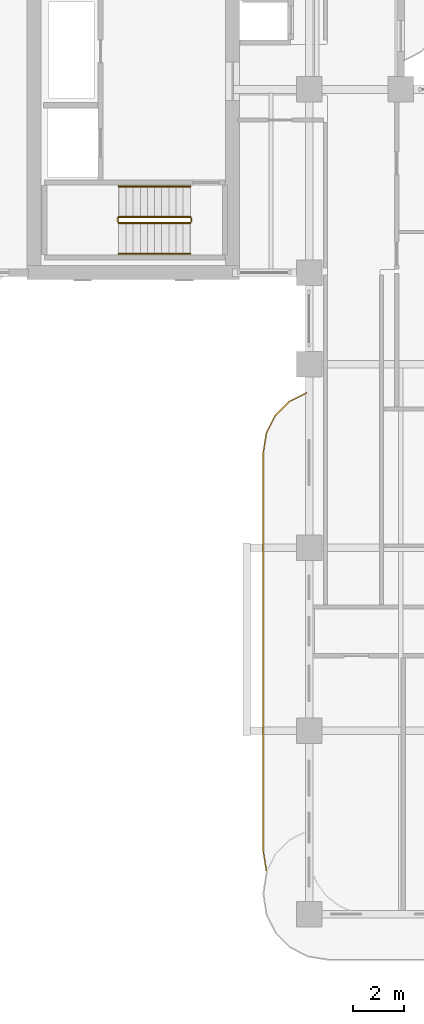
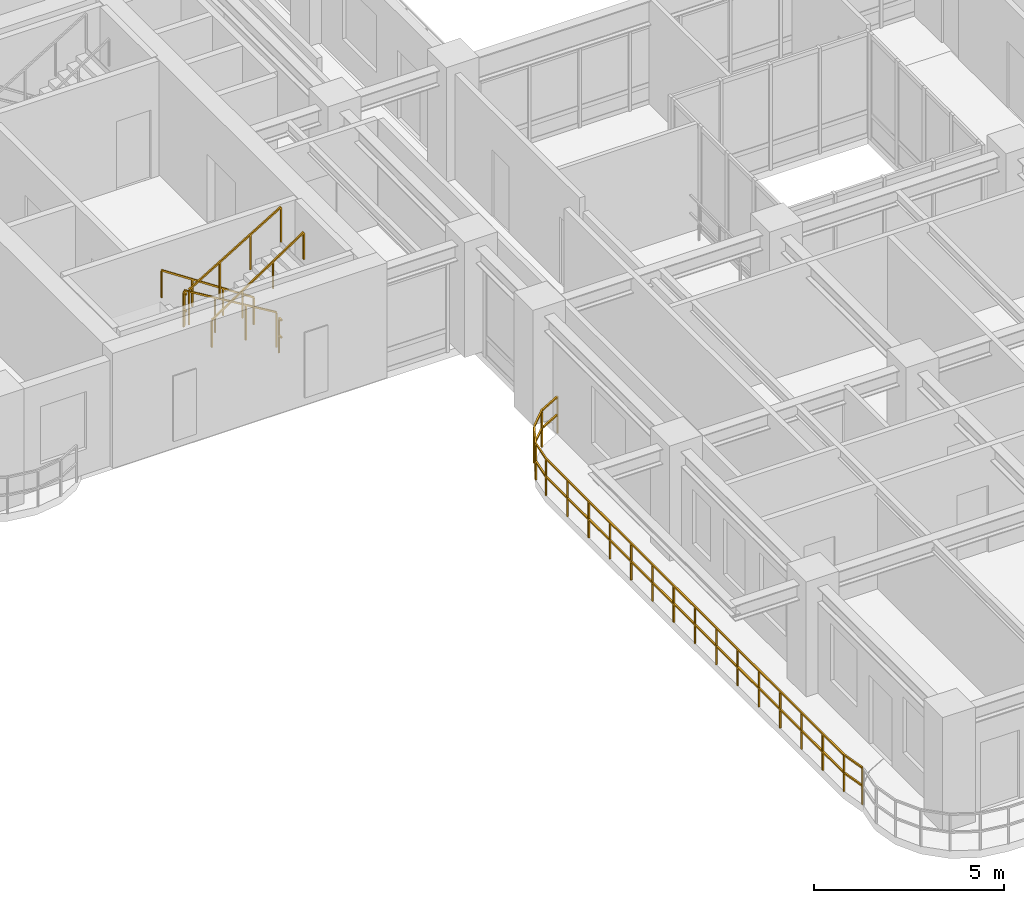
# One storey, part 17 of 21: 7 railings.
"""IFC4 building model written with IfcOpenShell, lengths in metres."""

from ifc_helpers import new_model, si_unit, derived_unit, direction, frame, origin, origin_2d, place, context, subcontext, project, spatial, rectangle, extrude, material, type_object, element, save


model = new_model("IFC4")

# Units and contexts
model_context = context("Model", 3, precision=1e-05, world=origin(), true_north=direction((0.0, 1.0)))
body_context = subcontext(model_context, "Body", "Model", "MODEL_VIEW")
ifc_project = project(units=[si_unit("LENGTHUNIT", "METRE"), si_unit("AREAUNIT", "SQUARE_METRE"), si_unit("VOLUMEUNIT", "CUBIC_METRE"), si_unit("PLANEANGLEUNIT", "RADIAN"), si_unit("MASSUNIT", "GRAM", prefix="KILO"), si_unit("THERMODYNAMICTEMPERATUREUNIT", "KELVIN"), si_unit("POWERUNIT", "WATT"), derived_unit("THERMALTRANSMITTANCEUNIT", [(si_unit("POWERUNIT", "WATT"), 1), (si_unit("AREAUNIT", "SQUARE_METRE"), -1), (si_unit("THERMODYNAMICTEMPERATUREUNIT", "KELVIN"), -1)])], contexts=[model_context])

# Site, building, storey
site_placement = place(None, origin())
site = spatial("IfcSite", under=ifc_project, at=site_placement, CompositionType="ELEMENT")
building_placement = place(site_placement, origin())
building = spatial("IfcBuilding", under=site, at=building_placement, Name="Zahravan Archway Hotel and Residences", CompositionType="ELEMENT")
storey_placement = place(building_placement, frame((0.0, 0.0, 141.39990234375)))
storey = spatial("IfcBuildingStorey", under=building, at=storey_placement, Name="L35", CompositionType="ELEMENT", Elevation=141.39990234375)

# Railings
ifc_material_1 = material(Name="Bronze & Laminated Glass Balustrade", Category="glass")
railing_type_1 = type_object("IfcRailingType", Name="RL-BAL-1200", PredefinedType="BALUSTRADE", material=ifc_material_1)
railing_1_placement = place(storey_placement, frame((12.719970703125, 1.69287109375, 0.0)))
element("IfcRailing", 1, at=railing_1_placement, inside=storey, type_object=railing_type_1, Name="L35 Balustrade RL-SLB-BAL-L35-WA-1", PredefinedType="BALUSTRADE", context=body_context, shape_type="SweptSolid", body=[
    extrude(rectangle(XDim=0.048095703125, YDim=0.048095703125, at=origin_2d()), frame((0.0, 0.0, 1.17578125), z_axis=(-0.156387811283, 0.987695728695, 0.0), x_axis=(-0.987695728695, -0.156387811283, 0.0)), (0.0, 0.0, 1.0), 0.7666015625),
    extrude(rectangle(XDim=0.048095703125, YDim=0.048095703125, at=origin_2d()), frame((0.0, 0.0, 0.60009765625), z_axis=(-0.156387811283, 0.987695728695, 0.0), x_axis=(-0.987695728695, -0.156387811283, 0.0)), (0.0, 0.0, 1.0), 0.7666015625),
    extrude(rectangle(XDim=0.048095703125, YDim=0.048095703125, at=origin_2d()), frame((-0.119873046875, 0.757080078125, 1.17578125), z_axis=(0.0, 1.0, 0.0), x_axis=(-1.0, 0.0, 0.0)), (0.0, 0.0, 1.0), 15.699951171875),
    extrude(rectangle(XDim=0.048095703125, YDim=0.048095703125, at=origin_2d()), frame((-0.119873046875, 0.757080078125, 0.60009765625), z_axis=(0.0, 1.0, 0.0), x_axis=(-1.0, 0.0, 0.0)), (0.0, 0.0, 1.0), 15.699951171875),
    extrude(rectangle(XDim=0.048095703125, YDim=0.048095703125, at=origin_2d()), frame((-0.119873046875, 16.45703125, 1.17578125), z_axis=(0.156387811283, 0.987695728695, 0.0), x_axis=(-0.987695728695, 0.156387811283, 0.0)), (0.0, 0.0, 1.0), 0.7666015625),
    extrude(rectangle(XDim=0.048095703125, YDim=0.048095703125, at=origin_2d()), frame((-0.119873046875, 16.45703125, 0.60009765625), z_axis=(0.156387811283, 0.987695728695, 0.0), x_axis=(-0.987695728695, 0.156387811283, 0.0)), (0.0, 0.0, 1.0), 0.7666015625),
    extrude(rectangle(XDim=0.048095703125, YDim=0.048095703125, at=origin_2d()), frame((0.0, 17.214111328125, 1.17578125), z_axis=(0.453825591531, 0.891090529897, 0.0), x_axis=(-0.891090529897, 0.453825591531, 0.0)), (0.0, 0.0, 1.0), 0.7666015625),
    extrude(rectangle(XDim=0.048095703125, YDim=0.048095703125, at=origin_2d()), frame((0.0, 17.214111328125, 0.60009765625), z_axis=(0.453825591531, 0.891090529897, 0.0), x_axis=(-0.891090529897, 0.453825591531, 0.0)), (0.0, 0.0, 1.0), 0.7666015625),
    extrude(rectangle(XDim=0.048095703125, YDim=0.048095703125, at=origin_2d()), frame((0.347900390625, 17.897216796875, 1.17578125), z_axis=(0.707106781187, 0.707106781187, 0.0), x_axis=(-0.707106781187, 0.707106781187, 0.0)), (0.0, 0.0, 1.0), 0.7666015625),
    extrude(rectangle(XDim=0.048095703125, YDim=0.048095703125, at=origin_2d()), frame((0.347900390625, 17.897216796875, 0.60009765625), z_axis=(0.707106781187, 0.707106781187, 0.0), x_axis=(-0.707106781187, 0.707106781187, 0.0)), (0.0, 0.0, 1.0), 0.7666015625),
    extrude(rectangle(XDim=0.048095703125, YDim=0.048095703125, at=origin_2d()), frame((0.889892578125, 18.439208984375, 1.17578125), z_axis=(0.891090529897, 0.453825591531, 0.0), x_axis=(-0.453825591531, 0.891090529897, 0.0)), (0.0, 0.0, 1.0), 0.7666015625),
    extrude(rectangle(XDim=0.048095703125, YDim=0.048095703125, at=origin_2d()), frame((0.889892578125, 18.439208984375, 0.60009765625), z_axis=(0.891090529897, 0.453825591531, 0.0), x_axis=(-0.453825591531, 0.891090529897, 0.0)), (0.0, 0.0, 1.0), 0.7666015625),
    extrude(rectangle(XDim=0.0419921875, YDim=0.0419921875, at=origin_2d()), origin(), (0.0, 0.0, 1.0), 1.15185546875),
    extrude(rectangle(XDim=0.0419921875, YDim=0.0419921875, at=origin_2d()), frame((-0.119873046875, 0.757080078125, 0.0)), (0.0, 0.0, 1.0), 1.15185546875),
    extrude(rectangle(XDim=0.0419921875, YDim=0.0419921875, at=origin_2d()), frame((-0.119873046875, 1.87841796875, 0.0)), (0.0, 0.0, 1.0), 1.15185546875),
    extrude(rectangle(XDim=0.0419921875, YDim=0.0419921875, at=origin_2d()), frame((-0.119873046875, 3.0, 0.0)), (0.0, 0.0, 1.0), 1.15185546875),
    extrude(rectangle(XDim=0.0419921875, YDim=0.0419921875, at=origin_2d()), frame((-0.119873046875, 4.121337890625, 0.0)), (0.0, 0.0, 1.0), 1.15185546875),
    extrude(rectangle(XDim=0.0419921875, YDim=0.0419921875, at=origin_2d()), frame((-0.119873046875, 5.24267578125, 0.0)), (0.0, 0.0, 1.0), 1.15185546875),
    extrude(rectangle(XDim=0.0419921875, YDim=0.0419921875, at=origin_2d()), frame((-0.119873046875, 6.3642578125, 0.0)), (0.0, 0.0, 1.0), 1.15185546875),
    extrude(rectangle(XDim=0.0419921875, YDim=0.0419921875, at=origin_2d()), frame((-0.119873046875, 7.485595703125, 0.0)), (0.0, 0.0, 1.0), 1.15185546875),
    extrude(rectangle(XDim=0.0419921875, YDim=0.0419921875, at=origin_2d()), frame((-0.119873046875, 8.60693359375, 0.0)), (0.0, 0.0, 1.0), 1.15185546875),
    extrude(rectangle(XDim=0.0419921875, YDim=0.0419921875, at=origin_2d()), frame((-0.119873046875, 9.728515625, 0.0)), (0.0, 0.0, 1.0), 1.15185546875),
    extrude(rectangle(XDim=0.0419921875, YDim=0.0419921875, at=origin_2d()), frame((-0.119873046875, 10.849853515625, 0.0)), (0.0, 0.0, 1.0), 1.15185546875),
    extrude(rectangle(XDim=0.0419921875, YDim=0.0419921875, at=origin_2d()), frame((-0.119873046875, 11.971435546875, 0.0)), (0.0, 0.0, 1.0), 1.15185546875),
    extrude(rectangle(XDim=0.0419921875, YDim=0.0419921875, at=origin_2d()), frame((-0.119873046875, 13.0927734375, 0.0)), (0.0, 0.0, 1.0), 1.15185546875),
    extrude(rectangle(XDim=0.0419921875, YDim=0.0419921875, at=origin_2d()), frame((-0.119873046875, 14.214111328125, 0.0)), (0.0, 0.0, 1.0), 1.15185546875),
    extrude(rectangle(XDim=0.0419921875, YDim=0.0419921875, at=origin_2d()), frame((-0.119873046875, 15.335693359375, 0.0)), (0.0, 0.0, 1.0), 1.15185546875),
    extrude(rectangle(XDim=0.0419921875, YDim=0.0419921875, at=origin_2d()), frame((-0.119873046875, 16.45703125, 0.0)), (0.0, 0.0, 1.0), 1.15185546875),
    extrude(rectangle(XDim=0.0419921875, YDim=0.0419921875, at=origin_2d()), frame((0.0, 17.214111328125, 0.0)), (0.0, 0.0, 1.0), 1.15185546875),
    extrude(rectangle(XDim=0.0419921875, YDim=0.0419921875, at=origin_2d()), frame((0.347900390625, 17.897216796875, 0.0)), (0.0, 0.0, 1.0), 1.15185546875),
    extrude(rectangle(XDim=0.0419921875, YDim=0.0419921875, at=origin_2d()), frame((0.889892578125, 18.439208984375, 0.0)), (0.0, 0.0, 1.0), 1.15185546875),
    extrude(rectangle(XDim=0.0419921875, YDim=0.0419921875, at=origin_2d()), frame((1.572998046875, 18.787109375, 0.0)), (0.0, 0.0, 1.0), 1.15185546875),
])
ifc_material_2 = material(Name="Painted Tubular Steel", Category="steel")
railing_type_2 = type_object("IfcRailingType", Name="RL-STG-1150", PredefinedType="GUARDRAIL", material=ifc_material_2)
railing_2_placement = place(storey_placement, frame((9.72998046875, 27.389892578125, 0.168212890625)))
element("IfcRailing", 2, at=railing_2_placement, inside=storey, type_object=railing_type_2, Name="L35 ST-B1 stair guard 1", PredefinedType="GUARDRAIL", context=body_context, shape_type="SweptSolid", body=[
    extrude(rectangle(XDim=0.048095703125, YDim=0.048095703125, at=origin_2d()), frame((0.0, 0.0, 1.1259765625), z_axis=(-0.857242210791, 0.0, 0.514913383045), x_axis=(0.0, -1.0, 0.0)), (0.0, 0.0, 1.0), 3.266357421875),
    extrude(rectangle(XDim=0.0419921875, YDim=0.0419921875, at=origin_2d()), origin(), (0.0, 0.0, 1.0), 1.101806640625),
    extrude(rectangle(XDim=0.0419921875, YDim=0.0419921875, at=origin_2d()), frame((-0.933349609375, 0.0, 0.560546875)), (0.0, 0.0, 1.0), 1.101806640625),
    extrude(rectangle(XDim=0.0419921875, YDim=0.0419921875, at=origin_2d()), frame((-1.86669921875, 0.0, 1.121337890625)), (0.0, 0.0, 1.0), 1.101806640625),
    extrude(rectangle(XDim=0.0419921875, YDim=0.0419921875, at=origin_2d()), frame((-2.800048828125, 0.0, 1.681884765625)), (0.0, 0.0, 1.0), 1.101806640625),
])
railing_3_placement = place(storey_placement, frame((6.8798828125, 27.340087890625, 1.85009765625)))
element("IfcRailing", 3, at=railing_3_placement, inside=storey, type_object=railing_type_2, Name="L35 ST-B1 stair guard 2", PredefinedType="GUARDRAIL", context=body_context, shape_type="SweptSolid", body=[
    extrude(rectangle(XDim=0.048095703125, YDim=0.048095703125, at=origin_2d()), frame((0.0, 0.0, 1.1259765625), z_axis=(0.0, -1.0, 0.0), x_axis=(1.0, 0.0, 0.0)), (0.0, 0.0, 1.0), 0.14013671875),
    extrude(rectangle(XDim=0.048095703125, YDim=0.048095703125, at=origin_2d()), frame((0.0, 0.0, 0.574951171875), z_axis=(0.0, -1.0, 0.0), x_axis=(1.0, 0.0, 0.0)), (0.0, 0.0, 1.0), 0.14013671875),
    extrude(rectangle(XDim=0.0419921875, YDim=0.0419921875, at=origin_2d()), origin(), (0.0, 0.0, 1.0), 1.101806640625),
])
railing_4_placement = place(storey_placement, frame((6.929931640625, 27.14990234375, 2.018310546875)))
element("IfcRailing", 4, at=railing_4_placement, inside=storey, type_object=railing_type_2, Name="L35 ST-B1 stair guard 3", PredefinedType="GUARDRAIL", context=body_context, shape_type="SweptSolid", body=[
    extrude(rectangle(XDim=0.048095703125, YDim=0.048095703125, at=origin_2d()), frame((0.0, 0.0, 1.1259765625), z_axis=(0.857242210791, 0.0, 0.514913383045), x_axis=(0.0, 1.0, 0.0)), (0.0, 0.0, 1.0), 3.266357421875),
    extrude(rectangle(XDim=0.0419921875, YDim=0.0419921875, at=origin_2d()), origin(), (0.0, 0.0, 1.0), 1.101806640625),
    extrude(rectangle(XDim=0.0419921875, YDim=0.0419921875, at=origin_2d()), frame((0.933349609375, 0.0, 0.560546875)), (0.0, 0.0, 1.0), 1.101806640625),
    extrude(rectangle(XDim=0.0419921875, YDim=0.0419921875, at=origin_2d()), frame((1.86669921875, 0.0, 1.121337890625)), (0.0, 0.0, 1.0), 1.101806640625),
    extrude(rectangle(XDim=0.0419921875, YDim=0.0419921875, at=origin_2d()), frame((2.800048828125, 0.0, 1.681884765625)), (0.0, 0.0, 1.0), 1.101806640625),
])
railing_5_placement = place(storey_placement, frame((9.780029296875, 27.340087890625, 0.0)))
element("IfcRailing", 5, at=railing_5_placement, inside=storey, type_object=railing_type_2, Name="L35 ST-B1 stair guard 4", PredefinedType="GUARDRAIL", context=body_context, shape_type="SweptSolid", body=[
    extrude(rectangle(XDim=0.048095703125, YDim=0.048095703125, at=origin_2d()), frame((0.0, 0.0, 1.1259765625), z_axis=(0.0, -1.0, 0.0), x_axis=(1.0, 0.0, 0.0)), (0.0, 0.0, 1.0), 0.14013671875),
    extrude(rectangle(XDim=0.048095703125, YDim=0.048095703125, at=origin_2d()), frame((0.0, 0.0, 0.574951171875), z_axis=(0.0, -1.0, 0.0), x_axis=(1.0, 0.0, 0.0)), (0.0, 0.0, 1.0), 0.14013671875),
    extrude(rectangle(XDim=0.0419921875, YDim=0.0419921875, at=origin_2d()), origin(), (0.0, 0.0, 1.0), 1.101806640625),
])
ifc_material_3 = material(Name="Brushed Stainless Steel", Category="steel")
railing_type_3 = type_object("IfcRailingType", Name="RL-STH-900", PredefinedType="HANDRAIL", material=ifc_material_3)
railing_6_placement = place(storey_placement, frame((9.72998046875, 28.590087890625, 0.168212890625)))
element("IfcRailing", 6, at=railing_6_placement, inside=storey, type_object=railing_type_3, Name="L35 ST-B1 stair handrail 1", PredefinedType="HANDRAIL", context=body_context, shape_type="SweptSolid", body=[
    extrude(rectangle(XDim=0.048095703125, YDim=0.048095703125, at=origin_2d()), frame((0.0, 0.0, 0.8759765625), z_axis=(-0.834326358476, 0.0, 0.551270829586), x_axis=(0.0, -1.0, 0.0)), (0.0, 0.0, 1.0), 3.35595703125),
    extrude(rectangle(XDim=0.0419921875, YDim=0.0419921875, at=origin_2d()), origin(), (0.0, 0.0, 1.0), 0.851806640625),
    extrude(rectangle(XDim=0.0419921875, YDim=0.0419921875, at=origin_2d()), frame((-0.933349609375, 0.0, 0.61669921875)), (0.0, 0.0, 1.0), 0.851806640625),
    extrude(rectangle(XDim=0.0419921875, YDim=0.0419921875, at=origin_2d()), frame((-1.86669921875, 0.0, 1.2333984375)), (0.0, 0.0, 1.0), 0.851806640625),
    extrude(rectangle(XDim=0.0419921875, YDim=0.0419921875, at=origin_2d()), frame((-2.800048828125, 0.0, 1.85009765625)), (0.0, 0.0, 1.0), 0.851806640625),
])
railing_7_placement = place(storey_placement, frame((6.929931640625, 25.949951171875, 2.018310546875)))
element("IfcRailing", 7, at=railing_7_placement, inside=storey, type_object=railing_type_3, Name="L35 ST-B1 stair handrail 2", PredefinedType="HANDRAIL", context=body_context, shape_type="SweptSolid", body=[
    extrude(rectangle(XDim=0.048095703125, YDim=0.048095703125, at=origin_2d()), frame((0.0, 0.0, 0.8759765625), z_axis=(0.83435981716, 0.0, 0.551220187865), x_axis=(0.0, 1.0, 0.0)), (0.0, 0.0, 1.0), 3.35595703125),
    extrude(rectangle(XDim=0.0419921875, YDim=0.0419921875, at=origin_2d()), origin(), (0.0, 0.0, 1.0), 0.851806640625),
    extrude(rectangle(XDim=0.0419921875, YDim=0.0419921875, at=origin_2d()), frame((0.933349609375, 0.0, 0.61669921875)), (0.0, 0.0, 1.0), 0.851806640625),
    extrude(rectangle(XDim=0.0419921875, YDim=0.0419921875, at=origin_2d()), frame((1.86669921875, 0.0, 1.233154296875)), (0.0, 0.0, 1.0), 0.851806640625),
    extrude(rectangle(XDim=0.0419921875, YDim=0.0419921875, at=origin_2d()), frame((2.800048828125, 0.0, 1.849853515625)), (0.0, 0.0, 1.0), 0.851806640625),
])

save(model, "model.ifc")
